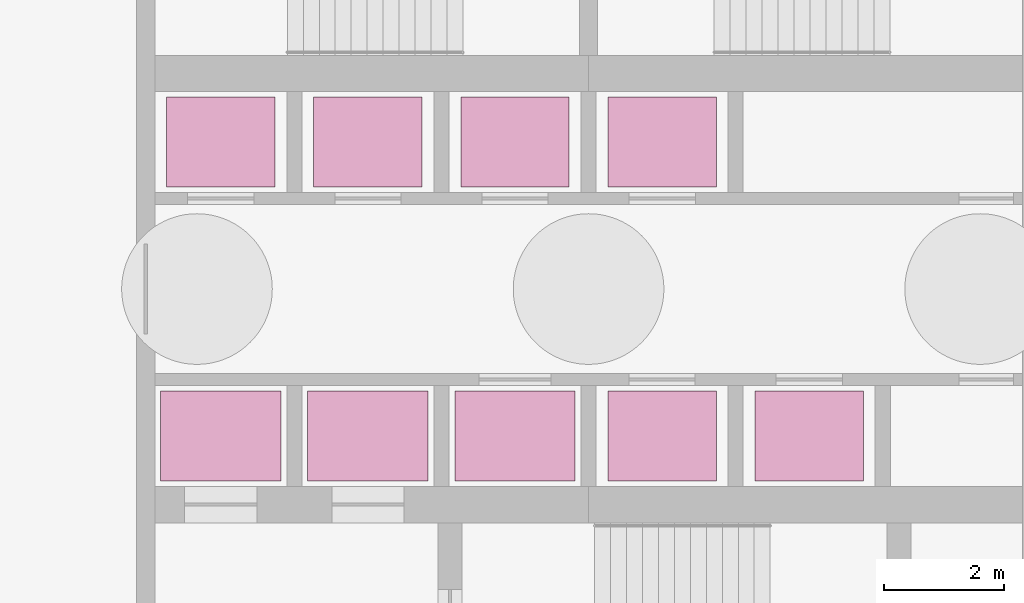
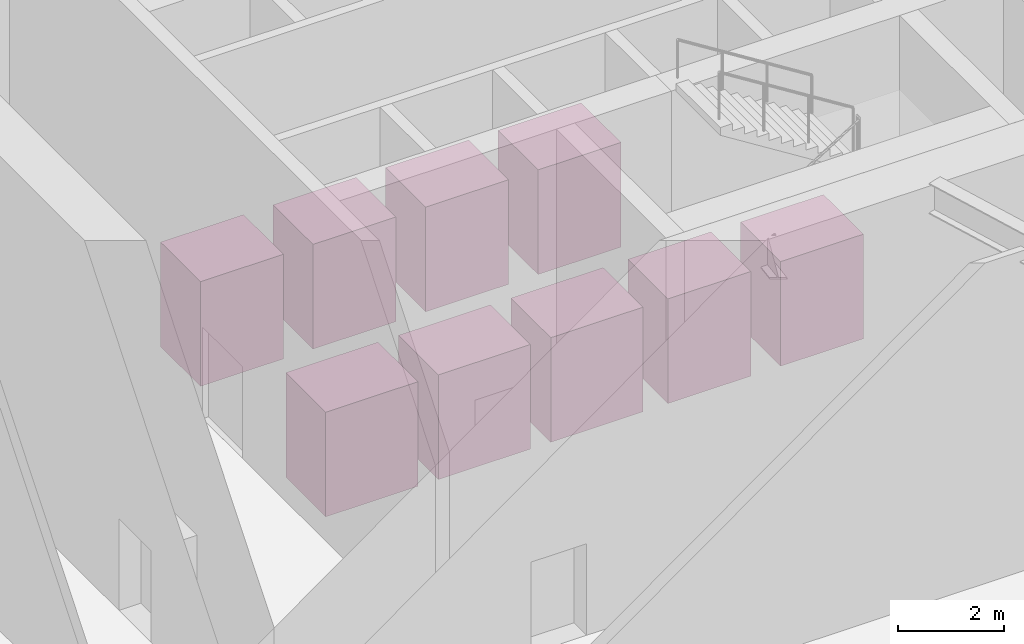
# One storey, part 27 of 27: 9 transport elements.
"""IFC4 building model written with IfcOpenShell, lengths in metres."""

from ifc_helpers import new_model, si_unit, direction, frame, origin, origin_2d, place, context, subcontext, project, spatial, rectangle, extrude, material, type_object, element, save


model = new_model("IFC4")

# Units and contexts
model_context = context("Model", 3, precision=1e-05, world=origin(), true_north=direction((0.0, 1.0)))
body_context = subcontext(model_context, "Body", "Model", "MODEL_VIEW")
ifc_project = project(units=[si_unit("LENGTHUNIT", "METRE"), si_unit("AREAUNIT", "SQUARE_METRE"), si_unit("VOLUMEUNIT", "CUBIC_METRE"), si_unit("PLANEANGLEUNIT", "RADIAN"), si_unit("MASSUNIT", "GRAM", prefix="KILO")], contexts=[model_context])

# Site, building, storey
site_placement = place(None, origin())
site = spatial("IfcSite", under=ifc_project, at=site_placement, CompositionType="ELEMENT")
building_placement = place(site_placement, origin())
building = spatial("IfcBuilding", under=site, at=building_placement, Name="Vermilion Reach Broadcast Tower", CompositionType="ELEMENT")
storey_placement = place(building_placement, origin())
storey = spatial("IfcBuildingStorey", under=building, at=storey_placement, Name="L00", CompositionType="ELEMENT", Elevation=0.0)

# Transport elements
ifc_material_1 = material(Name="Stainless steel", Category="steel")
transport_element_type_1 = type_object("IfcTransportElementType", Name="Firefighting lift car 2000 x 1500 1350 kg", PredefinedType="ELEVATOR", material=ifc_material_1)
for number, where, z_axis, x_axis, name in (
    (1, (-12.104248046875, -2.43994140625, 0.0), (0.0, 0.0, 1.0), (1.0, 0.0, 0.0), "Firefighting lift FF1"),
    (2, (-9.66259765625, -2.43994140625, 0.0), (0.0, 0.0, 1.0), (1.0, 0.0, 0.0), "Firefighting lift FF2"),
):
    element("IfcTransportElement", number, at=place(storey_placement, frame(where, z_axis=z_axis, x_axis=x_axis)), inside=storey, type_object=transport_element_type_1, Name=name, PredefinedType="ELEVATOR", context=body_context, shape_type="SweptSolid", body=[
        extrude(rectangle(XDim=2.0, YDim=1.5, at=origin_2d()), origin(), (0.0, 0.0, 1.0), 2.39990234375),
    ])
ifc_material_2 = material(Name="Stainless steel", Category="steel")
transport_element_type_2 = type_object("IfcTransportElementType", Name="Passenger lift car 1800 x 1500 1275 kg", PredefinedType="ELEVATOR", material=ifc_material_2)
for number, where, z_axis, x_axis, name in (
    (3, (-12.104248046875, 2.43994140625, 0.0), (0.0, 0.0, 1.0), (1.0, 0.0, 0.0), "Passenger lift LR1"),
    (4, (-9.66259765625, 2.43994140625, 0.0), (0.0, 0.0, 1.0), (1.0, 0.0, 0.0), "Passenger lift LR2"),
    (5, (-7.220947265625, 2.43994140625, 0.0), (0.0, 0.0, 1.0), (1.0, 0.0, 0.0), "Passenger lift LR3"),
    (6, (-4.779052734375, 2.43994140625, 0.0), (0.0, 0.0, 1.0), (1.0, 0.0, 0.0), "Passenger lift LR4"),
    (7, (-4.779052734375, -2.43994140625, 0.0), (0.0, 0.0, 1.0), (1.0, 0.0, 0.0), "Passenger lift SH1"),
    (8, (-2.33740234375, -2.43994140625, 0.0), (0.0, 0.0, 1.0), (1.0, 0.0, 0.0), "Passenger lift SH2"),
):
    element("IfcTransportElement", number, at=place(storey_placement, frame(where, z_axis=z_axis, x_axis=x_axis)), inside=storey, type_object=transport_element_type_2, Name=name, PredefinedType="ELEVATOR", context=body_context, shape_type="SweptSolid", body=[
        extrude(rectangle(XDim=1.800048828125, YDim=1.5, at=origin_2d()), origin(), (0.0, 0.0, 1.0), 2.39990234375),
    ])
ifc_material_3 = material(Name="Stainless steel", Category="steel")
transport_element_type_3 = type_object("IfcTransportElementType", Name="Service lift car 2000 x 1500 1350 kg", PredefinedType="ELEVATOR", material=ifc_material_3)
transport_element_placement = place(storey_placement, frame((-7.220947265625, -2.43994140625, 0.0), z_axis=(0.0, 0.0, 1.0), x_axis=(1.0, 0.0, 0.0)))
element("IfcTransportElement", 9, at=transport_element_placement, inside=storey, type_object=transport_element_type_3, Name="Service lift SV1", PredefinedType="ELEVATOR", context=body_context, shape_type="SweptSolid", body=[
    extrude(rectangle(XDim=2.0, YDim=1.5, at=origin_2d()), origin(), (0.0, 0.0, 1.0), 2.39990234375),
])

save(model, "model.ifc")
